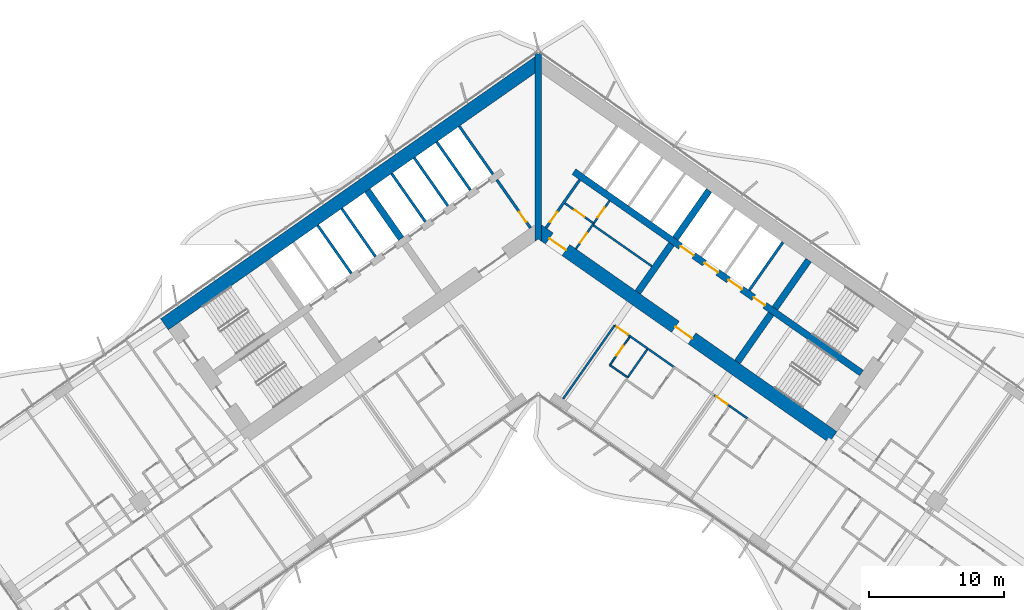
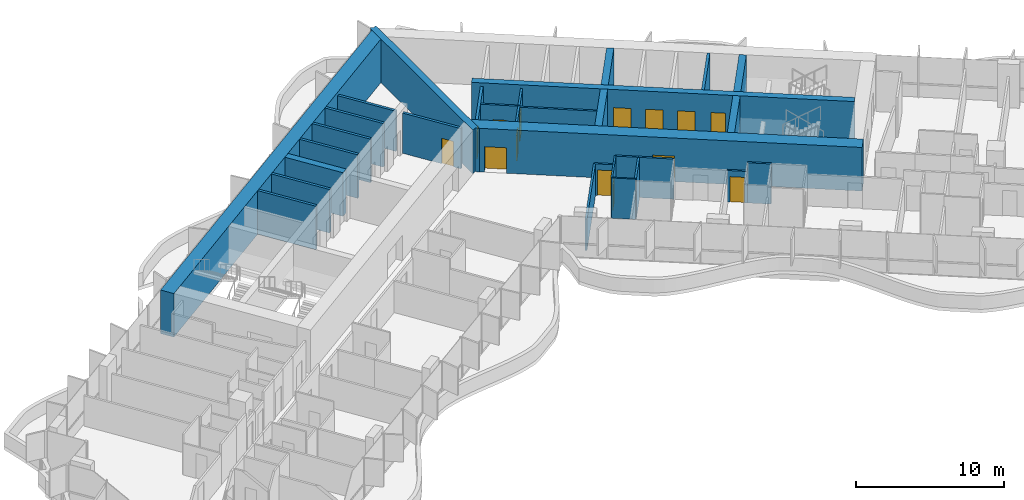
# One storey, part 15 of 24: 30 walls, 14 doors, 14 openings.
"""IFC4 building model written with IfcOpenShell, lengths in metres."""

import ifcopenshell
import ifcopenshell.guid

model = None  # the IFC model being written
_history = None  # IfcOwnerHistory: only IFC2X3 demands one
_inside = {}  # id of a spatial element -> (the spatial element, [elements in it])
_under = {}  # id of a project, library or spatial element -> (it, [spatial elements below it])
_declared = {}  # id of a project -> (the project, [libraries it declares])
_typed = {}  # id of a type object -> (the type object, [elements of that type])
_made_of = {}  # id of a material, layer set ... -> (it, [elements and type objects made of it])


def new_model(schema):
    """Start an empty IFC model of exactly this schema.

    Asked for "IFC4X3", IfcOpenShell would pick the latest addendum, in which some entities
    have other attributes; the version numbers below select the first issue.
    IFC2X3 requires an IfcOwnerHistory on every rooted entity: one is made here for all.
    """
    global model, _history
    if schema == "IFC4X3":
        model = ifcopenshell.file(schema_version=(4, 3, 0, 0))
    else:
        model = ifcopenshell.file(schema=schema)
    _inside.clear()
    _under.clear()
    _declared.clear()
    _typed.clear()
    _made_of.clear()
    _history = None
    if model.schema == "IFC2X3":
        org = make("IfcOrganization", Name="unknown")
        user = make(
            "IfcPersonAndOrganization",
            ThePerson=make("IfcPerson", FamilyName="unknown"),
            TheOrganization=org,
        )
        app = make(
            "IfcApplication",
            ApplicationDeveloper=org,
            Version="unknown",
            ApplicationFullName="unknown",
            ApplicationIdentifier="unknown",
        )
        _history = make(
            "IfcOwnerHistory",
            OwningUser=user,
            OwningApplication=app,
            ChangeAction="ADDED",
            CreationDate=0,
        )
    return model


def make(cls, **values):
    """One entity of the class cls with the attributes given. An attribute that is None is left unset."""
    return model.create_entity(
        cls, **{name: value for name, value in values.items() if value is not None}
    )


def rooted(cls, **values):
    """An entity with a GlobalId (a new one), such as an element, a storey or a relation."""
    return make(cls, GlobalId=ifcopenshell.guid.new(), OwnerHistory=_history, **values)


def si_unit(unit_type, name, prefix=None):
    """IfcSIUnit, for example si_unit("LENGTHUNIT", "METRE", prefix="MILLI")."""
    return make("IfcSIUnit", UnitType=unit_type, Prefix=prefix, Name=name)


def assignment(units):
    """IfcUnitAssignment: the units of a project."""
    return None if units is None else make("IfcUnitAssignment", Units=units)


def point(xyz):
    """IfcCartesianPoint."""
    return None if xyz is None else make("IfcCartesianPoint", Coordinates=xyz)


def direction(xyz):
    """IfcDirection."""
    return None if xyz is None else make("IfcDirection", DirectionRatios=xyz)


def frame(location, z_axis=None, x_axis=None):
    """IfcAxis2Placement3D, a coordinate frame: its origin and axes. An axis left out is left unset."""
    return make(
        "IfcAxis2Placement3D",
        Location=point(location),
        Axis=direction(z_axis),
        RefDirection=direction(x_axis),
    )


def frame_2d(location, x_axis=None):
    """IfcAxis2Placement2D, a coordinate frame in the plane: its origin and x axis."""
    return make(
        "IfcAxis2Placement2D", Location=point(location), RefDirection=direction(x_axis)
    )


def origin():
    """The frame at (0, 0, 0) with its axes left unset."""
    return frame((0.0, 0.0, 0.0))


def place(relative_to, where):
    """IfcLocalPlacement: puts the frame where relative to a parent placement (None: the world)."""
    return make(
        "IfcLocalPlacement", PlacementRelTo=relative_to, RelativePlacement=where
    )


def context(
    kind, dimensions, precision=None, world=None, true_north=None, identifier=None
):
    """IfcGeometricRepresentationContext, for example the 3D "Model" context."""
    return make(
        "IfcGeometricRepresentationContext",
        ContextIdentifier=identifier,
        ContextType=kind,
        CoordinateSpaceDimension=dimensions,
        Precision=precision,
        WorldCoordinateSystem=world,
        TrueNorth=true_north,
    )


def subcontext(parent, identifier, kind, view, scale=None):
    """IfcGeometricRepresentationSubContext, for example "Body" below "Model"."""
    return make(
        "IfcGeometricRepresentationSubContext",
        ContextIdentifier=identifier,
        ContextType=kind,
        ParentContext=parent,
        TargetScale=scale,
        TargetView=view,
    )


def project(units=None, contexts=None):
    """IfcProject with its units and contexts."""
    return rooted(
        "IfcProject",
        Name="project",
        RepresentationContexts=contexts,
        UnitsInContext=assignment(units),
    )


def spatial(cls, under=None, at=None, **own):
    """A site, building, storey or space (cls), placed at a placement, below another one or the project."""
    s = rooted(cls, ObjectPlacement=at, **own)
    if under is not None:
        _under.setdefault(under.id(), (under, []))[1].append(s)
    return s


def polyline(points):
    """IfcPolyline through the points."""
    return make("IfcPolyline", Points=[point(p) for p in points])


def profile(cls, at=None, kind="AREA", **sizes):
    """A parametric profile (cls). Its sizes go by their IFC names, for example OverallWidth=200.0."""
    return make(cls, ProfileType=kind, Position=at, **sizes)


def rectangle(**sizes):
    """IfcRectangleProfileDef."""
    return profile("IfcRectangleProfileDef", **sizes)


def outline(outer, holes=None, kind="AREA"):
    """IfcArbitraryClosedProfileDef: a profile drawn as a closed curve; with holes, ...WithVoids."""
    if holes is None:
        return make("IfcArbitraryClosedProfileDef", ProfileType=kind, OuterCurve=outer)
    return make(
        "IfcArbitraryProfileDefWithVoids",
        ProfileType=kind,
        OuterCurve=outer,
        InnerCurves=holes,
    )


def extrude(swept, where, along, depth):
    """IfcExtrudedAreaSolid: the profile swept, set in the frame where, extruded along a direction by depth."""
    return make(
        "IfcExtrudedAreaSolid",
        SweptArea=swept,
        Position=where,
        ExtrudedDirection=direction(along),
        Depth=depth,
    )


def shape(context_of_items, identifier, shape_type, items):
    """IfcShapeRepresentation: the items that make up one representation, for example the "Body"."""
    return make(
        "IfcShapeRepresentation",
        ContextOfItems=context_of_items,
        RepresentationIdentifier=identifier,
        RepresentationType=shape_type,
        Items=items,
    )


def material(Name=None, Category=None):
    """IfcMaterial."""
    return make("IfcMaterial", Name=Name, Category=Category)


def layer(
    of_material, thickness, ventilated=None, Name=None, Category=None, Priority=None
):
    """IfcMaterialLayer: one layer of a wall or slab, of a material (None: an air gap)."""
    return make(
        "IfcMaterialLayer",
        Material=of_material,
        LayerThickness=thickness,
        IsVentilated=ventilated,
        Name=Name,
        Category=Category,
        Priority=Priority,
    )


def layer_set(layers, Name=None):
    """IfcMaterialLayerSet."""
    return make("IfcMaterialLayerSet", MaterialLayers=layers, LayerSetName=Name)


def made_of(thing, what):
    """Note that an element or type object is made of a material, layer set ...; save() writes the relation."""
    if what is not None:
        _made_of.setdefault(what.id(), (what, []))[1].append(thing)
    return thing


def type_object(cls, material=None, **own):
    """A type object (cls), such as IfcWallType, which elements share."""
    return made_of(rooted(cls, **own), material)


def element(
    cls,
    number,
    at=None,
    inside=None,
    cuts=None,
    type_object=None,
    material=None,
    context=None,
    identifier="Body",
    shape_type=None,
    held_by="IfcProductDefinitionShape",
    body=None,
    shapes=None,
    **own,
):
    """One element of the class cls, such as IfcWall. Its Tag is "e" and its number.

    at: its placement. inside: the storey or other place that contains it. cuts: it is an
    opening in that element (IfcRelVoidsElement). A single representation is given by context,
    identifier, shape_type and body (its items); several are given by shapes. held_by: the class
    of the entity that holds the representations. save() writes the other relations.
    """
    e = rooted(cls, Tag="e%d" % number, ObjectPlacement=at, **own)
    if body is not None:
        shapes = [shape(context, identifier, shape_type, body)]
    if shapes is not None:
        e.Representation = make(held_by, Representations=shapes)
    if inside is not None:
        _inside.setdefault(inside.id(), (inside, []))[1].append(e)
    if cuts is not None:
        rooted(
            "IfcRelVoidsElement", RelatingBuildingElement=cuts, RelatedOpeningElement=e
        )
    if type_object is not None:
        _typed.setdefault(type_object.id(), (type_object, []))[1].append(e)
    return made_of(e, material)


def fill(opening, filler):
    """IfcRelFillsElement: the door or window that sits in an opening."""
    return rooted(
        "IfcRelFillsElement",
        RelatingOpeningElement=opening,
        RelatedBuildingElement=filler,
    )


def aggregate(whole, parts):
    """IfcRelAggregates: a whole, such as a stair, and the parts it consists of."""
    return rooted("IfcRelAggregates", RelatingObject=whole, RelatedObjects=parts)


def save(model, path):
    """Write the relations noted so far, then the file.

    IfcRelAggregates (storeys below a building ...), IfcRelContainedInSpatialStructure (elements
    in a storey), IfcRelDefinesByType, IfcRelAssociatesMaterial and IfcRelDeclares: one each for
    every whole, place, type object, material and project.
    """
    for whole, parts in _under.values():
        aggregate(whole, parts)
    for where, things in _inside.values():
        rooted(
            "IfcRelContainedInSpatialStructure",
            RelatedElements=things,
            RelatingStructure=where,
        )
    for kind, things in _typed.values():
        rooted("IfcRelDefinesByType", RelatedObjects=things, RelatingType=kind)
    for what, things in _made_of.values():
        rooted("IfcRelAssociatesMaterial", RelatedObjects=things, RelatingMaterial=what)
    for by, libraries in _declared.values():
        rooted("IfcRelDeclares", RelatingContext=by, RelatedDefinitions=libraries)
    model.write(path)


model = new_model("IFC4")

# Units and contexts
model_context = context("Model", 3, precision=1e-05, world=origin(), true_north=direction((0.0, 1.0)))
body_context = subcontext(model_context, "Body", "Model", "MODEL_VIEW")
ifc_project = project(units=[si_unit("LENGTHUNIT", "METRE"), si_unit("AREAUNIT", "SQUARE_METRE"), si_unit("VOLUMEUNIT", "CUBIC_METRE"), si_unit("PLANEANGLEUNIT", "RADIAN"), si_unit("MASSUNIT", "GRAM", prefix="KILO")], contexts=[model_context])

# Site, building, storey
site_placement = place(None, origin())
site = spatial("IfcSite", under=ifc_project, at=site_placement, CompositionType="ELEMENT")
building_placement = place(site_placement, origin())
building = spatial("IfcBuilding", under=site, at=building_placement, Name="Tel Ilan Convention Tower", CompositionType="ELEMENT")
storey_placement = place(building_placement, frame((0.0, 0.0, 90.5)))
storey = spatial("IfcBuildingStorey", under=building, at=storey_placement, Name="L18", CompositionType="ELEMENT", Elevation=90.5)

# Wall, openings, doors
ifc_material_1 = material(Name="Gypsum Plasterboard on Steel Stud", Category="steel")
ifc_layer_1 = layer(ifc_material_1, 0.14990234375)
ifc_layer_set_1 = layer_set([ifc_layer_1], Name="Core Room Partition Wall 150 mm EI 60")
wall_type_1 = type_object("IfcWallType", Name="Core Room Partition Wall 150 mm EI 60", PredefinedType="PARTITIONING", material=ifc_layer_set_1)
wall_1_placement = place(storey_placement, frame((2.78515625, -1.9501953125, 0.0), z_axis=(0.0, 0.0, 1.0), x_axis=(0.57356780395, 0.819158088694, 0.0)))
wall_1 = element("IfcWall", 1, at=wall_1_placement, inside=storey, type_object=wall_type_1, Name="L18 core wall wc-v1", PredefinedType="PARTITIONING", context=body_context, shape_type="SweptSolid", body=[
    extrude(rectangle(XDim=4.35009765625, YDim=0.14990234375, at=frame_2d((2.175048828125, 0.0))), origin(), (0.0, 0.0, 1.0), 3.320068359375),
])
opening_1_placement = place(wall_1_placement, frame((0.550048828125, 0.0, 0.0)))
opening_1 = element("IfcOpeningElement", 2, at=opening_1_placement, cuts=wall_1, Name="Opening CD1609", PredefinedType="OPENING", context=body_context, shape_type="SweptSolid", body=[
    extrude(rectangle(XDim=0.89990234375, YDim=2.10009765625, at=frame_2d((0.449951171875, 1.050048828125))), frame((0.0, 0.0849609375, 0.0), z_axis=(0.0, -1.0, 0.0), x_axis=(1.0, 0.0, 0.0)), (0.0, 0.0, 1.0), 0.169921875),
])
opening_2_placement = place(wall_1_placement, frame((2.824951171875, 0.0, 0.0)))
opening_2 = element("IfcOpeningElement", 3, at=opening_2_placement, cuts=wall_1, Name="Opening CD1610", PredefinedType="OPENING", context=body_context, shape_type="SweptSolid", body=[
    extrude(rectangle(XDim=0.89990234375, YDim=2.10009765625, at=frame_2d((0.449951171875, 1.050048828125))), frame((0.0, 0.0849609375, 0.0), z_axis=(0.0, -1.0, 0.0), x_axis=(1.0, 0.0, 0.0)), (0.0, 0.0, 1.0), 0.169921875),
])
ifc_material_2 = material(Name="Laminated Timber Door Leaf", Category="wood")
door_type_1 = type_object("IfcDoorType", Name="Toilet Door 900 x 2100 FD30S", OperationType="NOTDEFINED", PredefinedType="DOOR", material=ifc_material_2)
door_1_placement = place(opening_1_placement, origin())
door_1 = element("IfcDoor", 4, at=door_1_placement, inside=storey, type_object=door_type_1, Name="Women's WC door", OperationType="SINGLE_SWING_RIGHT", OverallHeight=2.10009765625, OverallWidth=0.89990234375, PredefinedType="DOOR", context=body_context, shape_type="SweptSolid", body=[
    extrude(rectangle(XDim=0.89990234375, YDim=2.10009765625, at=frame_2d((0.449951171875, 1.050048828125))), frame((0.0, 0.02490234375, 0.0), z_axis=(0.0, -1.0, 0.0), x_axis=(1.0, 0.0, 0.0)), (0.0, 0.0, 1.0), 0.050048828125),
])
fill(opening_1, door_1)
door_2_placement = place(opening_2_placement, origin())
door_2 = element("IfcDoor", 5, at=door_2_placement, inside=storey, type_object=door_type_1, Name="Men's WC door", OperationType="SINGLE_SWING_RIGHT", OverallHeight=2.10009765625, OverallWidth=0.89990234375, PredefinedType="DOOR", context=body_context, shape_type="SweptSolid", body=[
    extrude(rectangle(XDim=0.89990234375, YDim=2.10009765625, at=frame_2d((0.449951171875, 1.050048828125))), frame((0.0, 0.02490234375, 0.0), z_axis=(0.0, -1.0, 0.0), x_axis=(1.0, 0.0, 0.0)), (0.0, 0.0, 1.0), 0.050048828125),
])
fill(opening_2, door_2)

# Wall, opening, door
wall_2_placement = place(storey_placement, frame((1.974609375, 1.42529296875, 0.0), z_axis=(0.0, 0.0, 1.0), x_axis=(0.819103967032, -0.573645091666, 0.0)))
wall_2 = element("IfcWall", 6, at=wall_2_placement, inside=storey, type_object=wall_type_1, Name="L18 core wall wc-h1", PredefinedType="PARTITIONING", context=body_context, shape_type="SweptSolid", body=[
    extrude(rectangle(XDim=2.599853515625, YDim=0.14990234375, at=frame_2d((1.2998046875, 0.0))), origin(), (0.0, 0.0, 1.0), 3.320068359375),
])
opening_3_placement = place(wall_2_placement, frame((0.85009765625, 0.0, 0.0)))
opening_3 = element("IfcOpeningElement", 7, at=opening_3_placement, cuts=wall_2, Name="Opening CD1608", PredefinedType="OPENING", context=body_context, shape_type="SweptSolid", body=[
    extrude(rectangle(XDim=0.89990234375, YDim=2.10009765625, at=frame_2d((0.449951171875, 1.050048828125))), frame((0.0, 0.0849609375, 0.0), z_axis=(0.0, -1.0, 0.0), x_axis=(1.0, 0.0, 0.0)), (0.0, 0.0, 1.0), 0.169921875),
])
door_3_placement = place(opening_3_placement, origin())
door_3 = element("IfcDoor", 8, at=door_3_placement, inside=storey, type_object=door_type_1, Name="Accessible WC door", OperationType="SINGLE_SWING_RIGHT", OverallHeight=2.10009765625, OverallWidth=0.89990234375, PredefinedType="DOOR", context=body_context, shape_type="SweptSolid", body=[
    extrude(rectangle(XDim=0.89990234375, YDim=2.10009765625, at=frame_2d((0.449951171875, 1.050048828125))), frame((0.0, 0.02490234375, 0.0), z_axis=(0.0, -1.0, 0.0), x_axis=(1.0, 0.0, 0.0)), (0.0, 0.0, 1.0), 0.050048828125),
])
fill(opening_3, door_3)

# Wall
wall_3_placement = place(storey_placement, frame((4.03271484375, -0.16845703125, 0.0), z_axis=(0.0, 0.0, 1.0), x_axis=(0.819146154531, -0.573584847705, 0.0)))
element("IfcWall", 9, at=wall_3_placement, inside=storey, type_object=wall_type_1, Name="L18 core wall wc-h2", PredefinedType="PARTITIONING", context=body_context, shape_type="SweptSolid", body=[
    extrude(rectangle(XDim=5.349853515625, YDim=0.14990234375, at=frame_2d((2.6748046875, 0.0))), origin(), (0.0, 0.0, 1.0), 3.320068359375),
])

# Wall, opening, door
ifc_material_3 = material(Name="Concrete C30/37", Category="concrete")
ifc_layer_2 = layer(ifc_material_3, 0.199951171875)
ifc_layer_set_2 = layer_set([ifc_layer_2], Name="Core Service Room Wall 200 mm C30/37")
wall_type_2 = type_object("IfcWallType", Name="Core Service Room Wall 200 mm C30/37", PredefinedType="SOLIDWALL", material=ifc_layer_set_2)
wall_4_placement = place(storey_placement, frame((-0.573486328125, -0.401611328125, 0.0), z_axis=(0.0, 0.0, 1.0), x_axis=(-0.57356780395, 0.819158088694, 0.0)))
wall_4 = element("IfcWall", 10, at=wall_4_placement, inside=storey, type_object=wall_type_2, Name="L18 core wall apex-W", PredefinedType="SOLIDWALL", context=body_context, shape_type="SweptSolid", body=[
    extrude(rectangle(XDim=4.35009765625, YDim=0.199951171875, at=frame_2d((2.175048828125, 0.0))), origin(), (0.0, 0.0, 1.0), 3.320068359375),
])
opening_4_placement = place(wall_4_placement, frame((0.550048828125, 0.0, 0.0)))
opening_4 = element("IfcOpeningElement", 11, at=opening_4_placement, cuts=wall_4, Name="Opening CD1602", PredefinedType="OPENING", context=body_context, shape_type="SweptSolid", body=[
    extrude(rectangle(XDim=0.89990234375, YDim=2.10009765625, at=frame_2d((0.449951171875, 1.050048828125))), frame((0.0, 0.10986328125, 0.0), z_axis=(0.0, -1.0, 0.0), x_axis=(1.0, 0.0, 0.0)), (0.0, 0.0, 1.0), 0.219970703125),
])
ifc_material_4 = material(Name="Galvanised Steel Door Leaf", Category="steel")
door_type_2 = type_object("IfcDoorType", Name="Service Room Door 900 x 2100 FD60", OperationType="NOTDEFINED", PredefinedType="DOOR", material=ifc_material_4)
door_4_placement = place(opening_4_placement, origin())
door_4 = element("IfcDoor", 12, at=door_4_placement, inside=storey, type_object=door_type_2, Name="Electrical Room door", OperationType="SINGLE_SWING_RIGHT", OverallHeight=2.10009765625, OverallWidth=0.89990234375, PredefinedType="DOOR", context=body_context, shape_type="SweptSolid", body=[
    extrude(rectangle(XDim=0.89990234375, YDim=2.10009765625, at=frame_2d((0.449951171875, 1.050048828125))), frame((0.0, 0.02490234375, 0.0), z_axis=(0.0, -1.0, 0.0), x_axis=(1.0, 0.0, 0.0)), (0.0, 0.0, 1.0), 0.050048828125),
])
fill(opening_4, door_4)

# Wall
wall_5_placement = place(storey_placement, frame((-3.355224609375, 3.5712890625, 0.0), z_axis=(0.0, 0.0, 1.0), x_axis=(-0.57356780395, 0.819158088694, 0.0)))
element("IfcWall", 13, at=wall_5_placement, inside=storey, type_object=wall_type_2, Name="L18 core wall apex-W-b", PredefinedType="SOLIDWALL", context=body_context, shape_type="SweptSolid", body=[
    extrude(rectangle(XDim=4.35009765625, YDim=0.199951171875, at=frame_2d((2.175048828125, 0.0))), origin(), (0.0, 0.0, 1.0), 3.320068359375),
])

# Wall, opening, door
wall_6_placement = place(storey_placement, frame((0.573486328125, -0.401611328125, 0.0), z_axis=(0.0, 0.0, 1.0), x_axis=(0.57356780395, 0.819158088694, 0.0)))
wall_6 = element("IfcWall", 14, at=wall_6_placement, inside=storey, type_object=wall_type_2, Name="L18 core wall apex-E", PredefinedType="SOLIDWALL", context=body_context, shape_type="SweptSolid", body=[
    extrude(rectangle(XDim=4.35009765625, YDim=0.199951171875, at=frame_2d((2.175048828125, 0.0))), origin(), (0.0, 0.0, 1.0), 3.320068359375),
])
opening_5_placement = place(wall_6_placement, frame((0.550048828125, 0.0, 0.0)))
opening_5 = element("IfcOpeningElement", 15, at=opening_5_placement, cuts=wall_6, Name="Opening CD1601", PredefinedType="OPENING", context=body_context, shape_type="SweptSolid", body=[
    extrude(rectangle(XDim=0.89990234375, YDim=2.10009765625, at=frame_2d((0.449951171875, 1.050048828125))), frame((0.0, 0.10986328125, 0.0), z_axis=(0.0, -1.0, 0.0), x_axis=(1.0, 0.0, 0.0)), (0.0, 0.0, 1.0), 0.219970703125),
])
door_5_placement = place(opening_5_placement, origin())
door_5 = element("IfcDoor", 16, at=door_5_placement, inside=storey, type_object=door_type_2, Name="Store Room door", OperationType="SINGLE_SWING_RIGHT", OverallHeight=2.10009765625, OverallWidth=0.89990234375, PredefinedType="DOOR", context=body_context, shape_type="SweptSolid", body=[
    extrude(rectangle(XDim=0.89990234375, YDim=2.10009765625, at=frame_2d((0.449951171875, 1.050048828125))), frame((0.0, 0.02490234375, 0.0), z_axis=(0.0, -1.0, 0.0), x_axis=(1.0, 0.0, 0.0)), (0.0, 0.0, 1.0), 0.050048828125),
])
fill(opening_5, door_5)

# Wall
ifc_material_5 = material(Name="Concrete C60/75", Category="concrete")
ifc_layer_3 = layer(ifc_material_5, 1.0)
ifc_layer_set_3 = layer_set([ifc_layer_3], Name="Core Shear Wall 1000 mm C60/75")
wall_type_3 = type_object("IfcWallType", Name="Core Shear Wall 1000 mm C60/75", PredefinedType="SHEAR", material=ifc_layer_set_3)
wall_7_placement = place(storey_placement, frame((0.036865234375, 11.8671875, 0.0), z_axis=(0.0, 0.0, 1.0), x_axis=(-0.819155306259, -0.573571777746, 0.0)))
element("IfcWall", 17, at=wall_7_placement, inside=storey, type_object=wall_type_3, Name="L18 core wall W-back", PredefinedType="SHEAR", context=body_context, shape_type="SweptSolid", body=[
    extrude(outline(polyline([(33.8369140625, 0.5), (0.7001953125, 0.499755859375), (0.0, -0.5), (33.8369140625, -0.5), (33.8369140625, 0.5)])), origin(), (0.0, 0.0, 1.0), 3.60009765625),
])

# Wall, openings, doors
wall_8_placement = place(storey_placement, frame((-0.036865234375, -0.584716796875, 0.0), z_axis=(0.0, 0.0, 1.0), x_axis=(0.819157152511, -0.573569140985, 0.0)))
wall_8 = element("IfcWall", 18, at=wall_8_placement, inside=storey, type_object=wall_type_3, Name="L18 core wall E-front", PredefinedType="SHEAR", context=body_context, shape_type="SweptSolid", body=[
    extrude(outline(polyline([(26.69482421875, 0.499755859375), (0.0, 0.5), (0.7001953125, -0.499755859375), (26.69482421875, -0.500244140625), (26.69482421875, 0.499755859375)])), origin(), (0.0, 0.0, 1.0), 3.60009765625),
])
opening_6_placement = place(wall_8_placement, frame((1.044921875, 0.0, 0.0)))
opening_6 = element("IfcOpeningElement", 19, at=opening_6_placement, cuts=wall_8, Name="Opening CD1603", PredefinedType="OPENING", context=body_context, shape_type="SweptSolid", body=[
    extrude(rectangle(XDim=1.5, YDim=2.10009765625, at=frame_2d((0.75, 1.050048828125))), frame((0.0, 0.510009765625, 0.0), z_axis=(0.0, -1.0, 0.0), x_axis=(1.0, 0.0, 0.0)), (0.0, 0.0, 1.0), 1.02001953125),
])
opening_7_placement = place(wall_8_placement, frame((12.44482421875, 0.0, 0.0)))
opening_7 = element("IfcOpeningElement", 20, at=opening_7_placement, cuts=wall_8, Name="Opening CD1604", PredefinedType="OPENING", context=body_context, shape_type="SweptSolid", body=[
    extrude(rectangle(XDim=1.5, YDim=2.10009765625, at=frame_2d((0.75, 1.050048828125))), frame((0.0, 0.510009765625, 0.0), z_axis=(0.0, -1.0, 0.0), x_axis=(1.0, 0.0, 0.0)), (0.0, 0.0, 1.0), 1.02001953125),
])
ifc_material_6 = material(Name="Glazed Aluminium Door Leaf", Category="aluminium")
door_type_3 = type_object("IfcDoorType", Name="Lobby Opening Door 1500 x 2100 FD60S", OperationType="NOTDEFINED", PredefinedType="DOOR", material=ifc_material_6)
door_6_placement = place(opening_7_placement, origin())
door_6 = element("IfcDoor", 21, at=door_6_placement, inside=storey, type_object=door_type_3, Name="Firefighting Lobby door", OperationType="DOUBLE_DOOR_SINGLE_SWING", OverallHeight=2.10009765625, OverallWidth=1.5, PredefinedType="DOOR", context=body_context, shape_type="SweptSolid", body=[
    extrude(rectangle(XDim=1.5, YDim=2.10009765625, at=frame_2d((0.75, 1.050048828125))), frame((0.0, 0.02490234375, 0.0), z_axis=(0.0, -1.0, 0.0), x_axis=(1.0, 0.0, 0.0)), (0.0, 0.0, 1.0), 0.050048828125),
])
fill(opening_7, door_6)
ifc_material_7 = material(Name="Laminated Timber Door Leaf", Category="wood")
door_type_4 = type_object("IfcDoorType", Name="Toilet Door 1500 x 2100 FD30S", OperationType="NOTDEFINED", PredefinedType="DOOR", material=ifc_material_7)
door_7_placement = place(opening_6_placement, origin())
door_7 = element("IfcDoor", 22, at=door_7_placement, inside=storey, type_object=door_type_4, Name="WC Lobby door", OperationType="SINGLE_SWING_RIGHT", OverallHeight=2.10009765625, OverallWidth=1.5, PredefinedType="DOOR", context=body_context, shape_type="SweptSolid", body=[
    extrude(rectangle(XDim=1.5, YDim=2.10009765625, at=frame_2d((0.75, 1.050048828125))), frame((0.0, 0.02490234375, 0.0), z_axis=(0.0, -1.0, 0.0), x_axis=(1.0, 0.0, 0.0)), (0.0, 0.0, 1.0), 0.050048828125),
])
fill(opening_6, door_7)

# Walls
ifc_material_8 = material(Name="Concrete C60/75", Category="concrete")
ifc_layer_4 = layer(ifc_material_8, 0.5)
ifc_layer_set_4 = layer_set([ifc_layer_4], Name="Core Shear Wall 500 mm C60/75")
wall_type_4 = type_object("IfcWallType", Name="Core Shear Wall 500 mm C60/75", PredefinedType="SHEAR", material=ifc_layer_set_4)
wall_9_placement = place(storey_placement, frame((-10.154296875, -1.189208984375, 0.0), z_axis=(0.0, 0.0, 1.0), x_axis=(-0.573594173421, 0.819139624372, 0.0)))
element("IfcWall", 23, at=wall_9_placement, inside=storey, type_object=wall_type_4, Name="L18 core wall W-cross1-2", PredefinedType="SHEAR", context=body_context, shape_type="SweptSolid", body=[
    extrude(outline(polyline([(4.349853515625, -0.25), (4.349853515625, 0.25), (-0.000244140625, 0.25), (-0.000244140625, -0.25), (4.349853515625, -0.25)])), origin(), (0.0, 0.0, 1.0), 3.60009765625),
])
wall_10_placement = place(storey_placement, frame((7.372314453125, -5.162109375, 0.0), z_axis=(0.0, 0.0, 1.0), x_axis=(0.573594173421, 0.819139624372, 0.0)))
element("IfcWall", 24, at=wall_10_placement, inside=storey, type_object=wall_type_4, Name="L18 core wall E-cross1-1", PredefinedType="SHEAR", context=body_context, shape_type="SweptSolid", body=[
    extrude(outline(polyline([(0.0, 0.25), (0.0, -0.250244140625), (4.349853515625, -0.25), (4.349853515625, 0.25), (0.0, 0.25)])), origin(), (0.0, 0.0, 1.0), 3.60009765625),
])
wall_11_placement = place(storey_placement, frame((10.154296875, -1.189208984375, 0.0), z_axis=(0.0, 0.0, 1.0), x_axis=(0.573594173421, 0.819139624372, 0.0)))
element("IfcWall", 25, at=wall_11_placement, inside=storey, type_object=wall_type_4, Name="L18 core wall E-cross1-2", PredefinedType="SHEAR", context=body_context, shape_type="SweptSolid", body=[
    extrude(outline(polyline([(4.349853515625, -0.25), (4.349853515625, 0.25), (-0.000244140625, 0.25), (-0.000244140625, -0.25), (4.349853515625, -0.25)])), origin(), (0.0, 0.0, 1.0), 3.60009765625),
])
wall_12_placement = place(storey_placement, frame((14.74462890625, -10.324462890625, 0.0), z_axis=(0.0, 0.0, 1.0), x_axis=(0.57356780395, 0.819158088694, 0.0)))
element("IfcWall", 26, at=wall_12_placement, inside=storey, type_object=wall_type_4, Name="L18 core wall E-cross2-1", PredefinedType="SHEAR", context=body_context, shape_type="SweptSolid", body=[
    extrude(outline(polyline([(0.0, 0.25), (0.0, -0.25), (4.35009765625, -0.250244140625), (4.35009765625, 0.25), (0.0, 0.25)])), origin(), (0.0, 0.0, 1.0), 3.60009765625),
])
wall_13_placement = place(storey_placement, frame((17.526611328125, -6.3515625, 0.0), z_axis=(0.0, 0.0, 1.0), x_axis=(0.573530143085, 0.819184457233, 0.0)))
element("IfcWall", 27, at=wall_13_placement, inside=storey, type_object=wall_type_4, Name="L18 core wall E-cross2-2", PredefinedType="SHEAR", context=body_context, shape_type="SweptSolid", body=[
    extrude(outline(polyline([(4.35009765625, -0.250244140625), (4.35009765625, 0.249755859375), (0.0, 0.25), (0.0, -0.25), (4.35009765625, -0.250244140625)])), origin(), (0.0, 0.0, 1.0), 3.60009765625),
])

# Wall, openings, doors
wall_14_placement = place(storey_placement, frame((2.638427734375, 3.76806640625, 0.0), z_axis=(0.0, 0.0, 1.0), x_axis=(0.819148977158, -0.573580816643, 0.0)))
wall_14 = element("IfcWall", 28, at=wall_14_placement, inside=storey, type_object=wall_type_4, Name="L18 core wall E-spine", PredefinedType="SHEAR", context=body_context, shape_type="SweptSolid", body=[
    extrude(outline(polyline([(0.0, 0.25), (0.0, -0.25), (26.0, -0.249755859375), (26.0, 0.250244140625), (0.0, 0.25)])), origin(), (0.0, 0.0, 1.0), 3.60009765625),
])
opening_8_placement = place(wall_14_placement, frame((9.637451171875, 0.0, 0.0)))
opening_8 = element("IfcOpeningElement", 29, at=opening_8_placement, cuts=wall_14, Name="Opening LD1601", PredefinedType="OPENING", context=body_context, shape_type="SweptSolid", body=[
    extrude(rectangle(XDim=1.199951171875, YDim=2.10009765625, at=frame_2d((0.60009765625, 1.050048828125))), frame((0.0, 0.260009765625, 0.0), z_axis=(0.0, -1.0, 0.0), x_axis=(1.0, 0.0, 0.0)), (0.0, 0.0, 1.0), 0.52001953125),
])
opening_9_placement = place(wall_14_placement, frame((11.8125, 0.0, 0.0)))
opening_9 = element("IfcOpeningElement", 30, at=opening_9_placement, cuts=wall_14, Name="Opening LD1602", PredefinedType="OPENING", context=body_context, shape_type="SweptSolid", body=[
    extrude(rectangle(XDim=1.199951171875, YDim=2.10009765625, at=frame_2d((0.60009765625, 1.050048828125))), frame((0.0, 0.260009765625, 0.0), z_axis=(0.0, -1.0, 0.0), x_axis=(1.0, 0.0, 0.0)), (0.0, 0.0, 1.0), 0.52001953125),
])
opening_10_placement = place(wall_14_placement, frame((13.987548828125, 0.0, 0.0)))
opening_10 = element("IfcOpeningElement", 31, at=opening_10_placement, cuts=wall_14, Name="Opening LD1603", PredefinedType="OPENING", context=body_context, shape_type="SweptSolid", body=[
    extrude(rectangle(XDim=1.199951171875, YDim=2.10009765625, at=frame_2d((0.60009765625, 1.050048828125))), frame((0.0, 0.260009765625, 0.0), z_axis=(0.0, -1.0, 0.0), x_axis=(1.0, 0.0, 0.0)), (0.0, 0.0, 1.0), 0.52001953125),
])
opening_11_placement = place(wall_14_placement, frame((16.262451171875, 0.0, 0.0)))
opening_11 = element("IfcOpeningElement", 32, at=opening_11_placement, cuts=wall_14, Name="Opening CD1607", PredefinedType="OPENING", context=body_context, shape_type="SweptSolid", body=[
    extrude(rectangle(XDim=1.0, YDim=2.10009765625, at=frame_2d((0.5, 1.050048828125))), frame((0.0, 0.260009765625, 0.0), z_axis=(0.0, -1.0, 0.0), x_axis=(1.0, 0.0, 0.0)), (0.0, 0.0, 1.0), 0.52001953125),
])
ifc_material_9 = material(Name="Stainless Steel Sliding Door Leaf", Category="steel")
door_type_5 = type_object("IfcDoorType", Name="Lift Landing Door 1200 x 2100 FD120", OperationType="NOTDEFINED", PredefinedType="DOOR", material=ifc_material_9)
door_8_placement = place(opening_8_placement, origin())
door_8 = element("IfcDoor", 33, at=door_8_placement, inside=storey, type_object=door_type_5, Name="Lift FL1 landing door", OperationType="SLIDING_TO_LEFT", OverallHeight=2.10009765625, OverallWidth=1.199951171875, PredefinedType="DOOR", context=body_context, shape_type="SweptSolid", body=[
    extrude(rectangle(XDim=1.199951171875, YDim=2.10009765625, at=frame_2d((0.60009765625, 1.050048828125))), frame((0.0, 0.02490234375, 0.0), z_axis=(0.0, -1.0, 0.0), x_axis=(1.0, 0.0, 0.0)), (0.0, 0.0, 1.0), 0.050048828125),
])
fill(opening_8, door_8)
door_9_placement = place(opening_9_placement, origin())
door_9 = element("IfcDoor", 34, at=door_9_placement, inside=storey, type_object=door_type_5, Name="Lift FL2 landing door", OperationType="SLIDING_TO_RIGHT", OverallHeight=2.10009765625, OverallWidth=1.199951171875, PredefinedType="DOOR", context=body_context, shape_type="SweptSolid", body=[
    extrude(rectangle(XDim=1.199951171875, YDim=2.10009765625, at=frame_2d((0.60009765625, 1.050048828125))), frame((0.0, 0.02490234375, 0.0), z_axis=(0.0, -1.0, 0.0), x_axis=(1.0, 0.0, 0.0)), (0.0, 0.0, 1.0), 0.050048828125),
])
fill(opening_9, door_9)
door_10_placement = place(opening_10_placement, origin())
door_10 = element("IfcDoor", 35, at=door_10_placement, inside=storey, type_object=door_type_5, Name="Lift FL3 landing door", OperationType="SLIDING_TO_LEFT", OverallHeight=2.10009765625, OverallWidth=1.199951171875, PredefinedType="DOOR", context=body_context, shape_type="SweptSolid", body=[
    extrude(rectangle(XDim=1.199951171875, YDim=2.10009765625, at=frame_2d((0.60009765625, 1.050048828125))), frame((0.0, 0.02490234375, 0.0), z_axis=(0.0, -1.0, 0.0), x_axis=(1.0, 0.0, 0.0)), (0.0, 0.0, 1.0), 0.050048828125),
])
fill(opening_10, door_10)
ifc_material_10 = material(Name="Galvanised Steel Door Leaf", Category="steel")
door_type_6 = type_object("IfcDoorType", Name="Service Room Door 1000 x 2100 FD60", OperationType="NOTDEFINED", PredefinedType="DOOR", material=ifc_material_10)
door_11_placement = place(opening_11_placement, origin())
door_11 = element("IfcDoor", 36, at=door_11_placement, inside=storey, type_object=door_type_6, Name="Plant Room door", OperationType="SINGLE_SWING_RIGHT", OverallHeight=2.10009765625, OverallWidth=1.0, PredefinedType="DOOR", context=body_context, shape_type="SweptSolid", body=[
    extrude(rectangle(XDim=1.0, YDim=2.10009765625, at=frame_2d((0.5, 1.050048828125))), frame((0.0, 0.02490234375, 0.0), z_axis=(0.0, -1.0, 0.0), x_axis=(1.0, 0.0, 0.0)), (0.0, 0.0, 1.0), 0.050048828125),
])
fill(opening_11, door_11)

# Wall
wall_15_placement = place(storey_placement, frame((0.0, -1.395751953125, 0.0), z_axis=(0.0, 0.0, 1.0), x_axis=(0.0, 1.0, 0.0)))
element("IfcWall", 37, at=wall_15_placement, inside=storey, type_object=wall_type_4, Name="L18 core wall K-central", PredefinedType="SHEAR", context=body_context, shape_type="SweptSolid", body=[
    extrude(outline(polyline([(0.0, -0.25), (0.175048828125, -0.25), (1.220703125, -0.25), (12.451904296875, -0.25), (13.84765625, -0.25), (13.85693359375, -0.25), (13.96826171875, -0.172119140625), (13.84765625, 0.0), (13.96826171875, 0.172119140625), (13.85693359375, 0.25), (13.84765625, 0.25), (12.451904296875, 0.25), (1.220703125, 0.25), (0.175048828125, 0.25), (0.0, 0.25), (0.175048828125, 0.0), (0.0, -0.25)])), origin(), (0.0, 0.0, 1.0), 3.60009765625),
])

# Wall, opening, door
ifc_material_11 = material(Name="Plasterboard on Steel Studs", Category="steel")
ifc_layer_5 = layer(ifc_material_11, 0.14990234375)
ifc_layer_set_5 = layer_set([ifc_layer_5], Name="Fire-rated Partition 150 EI 60")
wall_type_5 = type_object("IfcWallType", Name="Fire-rated Partition 150 EI 60", PredefinedType="PARTITIONING", material=ifc_layer_set_5)
wall_16_placement = place(storey_placement, frame((6.79931640625, -8.423095703125, 0.0), z_axis=(0.0, 0.0, 1.0), x_axis=(-0.819207359301, 0.573497430219, 0.0)))
wall_16 = element("IfcWall", 38, at=wall_16_placement, inside=storey, type_object=wall_type_5, Name="Partition 006", PredefinedType="PARTITIONING", context=body_context, shape_type="SweptSolid", body=[
    extrude(rectangle(XDim=1.40087890625, YDim=0.14990234375, at=frame_2d((0.700439453125, 0.0))), origin(), (0.0, 0.0, 1.0), 2.60009765625),
])
opening_12_placement = place(wall_16_placement, frame((0.200927734375, 0.0, 0.0)))
opening_12 = element("IfcOpeningElement", 39, at=opening_12_placement, cuts=wall_16, Name="Opening L18-026", PredefinedType="OPENING", context=body_context, shape_type="SweptSolid", body=[
    extrude(rectangle(XDim=1.0, YDim=2.10009765625, at=frame_2d((0.5, 1.050048828125))), frame((0.0, 0.0849609375, 0.0), z_axis=(0.0, -1.0, 0.0), x_axis=(1.0, 0.0, 0.0)), (0.0, 0.0, 1.0), 0.169921875),
])
ifc_material_12 = material(Name="Timber Door Leaf in Steel Frame", Category="steel")
door_type_7 = type_object("IfcDoorType", Name="Hotel Room Entrance Fire Door 1000x2100", OperationType="NOTDEFINED", PredefinedType="DOOR", material=ifc_material_12)
door_12_placement = place(opening_12_placement, origin())
door_12 = element("IfcDoor", 40, at=door_12_placement, inside=storey, type_object=door_type_7, Name="Door L18-026", OperationType="SINGLE_SWING_LEFT", OverallHeight=2.10009765625, OverallWidth=1.0, PredefinedType="DOOR", context=body_context, shape_type="SweptSolid", body=[
    extrude(rectangle(XDim=1.0, YDim=2.10009765625, at=frame_2d((0.5, 1.050048828125))), frame((0.0, 0.02490234375, 0.0), z_axis=(0.0, -1.0, 0.0), x_axis=(1.0, 0.0, 0.0)), (0.0, 0.0, 1.0), 0.050048828125),
])
fill(opening_12, door_12)

# Walls
wall_17_placement = place(storey_placement, frame((8.110595703125, -9.341552734375, 0.0), z_axis=(0.0, 0.0, 1.0), x_axis=(-0.8190674132, 0.573697283098, 0.0)))
element("IfcWall", 41, at=wall_17_placement, inside=storey, type_object=wall_type_5, Name="Partition 007", PredefinedType="PARTITIONING", context=body_context, shape_type="SweptSolid", body=[
    extrude(rectangle(XDim=1.60400390625, YDim=0.14990234375, at=frame_2d((0.802001953125, 0.0))), origin(), (0.0, 0.0, 1.0), 3.320068359375),
])
wall_18_placement = place(storey_placement, frame((10.07666015625, -10.718017578125, 0.0), z_axis=(0.0, 0.0, 1.0), x_axis=(-0.819146032251, 0.573585022335, 0.0)))
element("IfcWall", 42, at=wall_18_placement, inside=storey, type_object=wall_type_5, Name="Partition 009", PredefinedType="PARTITIONING", context=body_context, shape_type="SweptSolid", body=[
    extrude(rectangle(XDim=2.404052734375, YDim=0.14990234375, at=frame_2d((1.2021484375, 0.0))), origin(), (0.0, 0.0, 1.0), 3.320068359375),
])

# Wall, opening, door
wall_19_placement = place(storey_placement, frame((14.171630859375, -13.58544921875, 0.0), z_axis=(0.0, 0.0, 1.0), x_axis=(-0.81914197737, 0.573590813132, 0.0)))
wall_19 = element("IfcWall", 43, at=wall_19_placement, inside=storey, type_object=wall_type_5, Name="Partition 010", PredefinedType="PARTITIONING", context=body_context, shape_type="SweptSolid", body=[
    extrude(rectangle(XDim=1.40283203125, YDim=0.14990234375, at=frame_2d((0.701416015625, 0.0))), origin(), (0.0, 0.0, 1.0), 2.60009765625),
])
opening_13_placement = place(wall_19_placement, frame((0.200927734375, 0.0, 0.0)))
opening_13 = element("IfcOpeningElement", 44, at=opening_13_placement, cuts=wall_19, Name="Opening L18-030", PredefinedType="OPENING", context=body_context, shape_type="SweptSolid", body=[
    extrude(rectangle(XDim=1.0, YDim=2.10009765625, at=frame_2d((0.5, 1.050048828125))), frame((0.0, 0.0849609375, 0.0), z_axis=(0.0, -1.0, 0.0), x_axis=(1.0, 0.0, 0.0)), (0.0, 0.0, 1.0), 0.169921875),
])
door_13_placement = place(opening_13_placement, origin())
door_13 = element("IfcDoor", 45, at=door_13_placement, inside=storey, type_object=door_type_7, Name="Door L18-030", OperationType="SINGLE_SWING_LEFT", OverallHeight=2.10009765625, OverallWidth=1.0, PredefinedType="DOOR", context=body_context, shape_type="SweptSolid", body=[
    extrude(rectangle(XDim=1.0, YDim=2.10009765625, at=frame_2d((0.5, 1.050048828125))), frame((0.0, 0.02490234375, 0.0), z_axis=(0.0, -1.0, 0.0), x_axis=(1.0, 0.0, 0.0)), (0.0, 0.0, 1.0), 0.050048828125),
])
fill(opening_13, door_13)

# Walls
wall_20_placement = place(storey_placement, frame((15.483154296875, -14.503662109375, 0.0), z_axis=(0.0, 0.0, 1.0), x_axis=(-0.819189013667, 0.573523634986, 0.0)))
element("IfcWall", 46, at=wall_20_placement, inside=storey, type_object=wall_type_5, Name="Partition 011", PredefinedType="PARTITIONING", context=body_context, shape_type="SweptSolid", body=[
    extrude(rectangle(XDim=1.60400390625, YDim=0.14990234375, at=frame_2d((0.802001953125, 0.0))), origin(), (0.0, 0.0, 1.0), 3.320068359375),
])
wall_21_placement = place(storey_placement, frame((1.848876953125, -13.050537109375, 0.0), z_axis=(0.0, 0.0, 1.0), x_axis=(0.57357355307, 0.819154063177, 0.0)))
element("IfcWall", 47, at=wall_21_placement, inside=storey, type_object=wall_type_5, Name="Partition 058", PredefinedType="PARTITIONING", context=body_context, shape_type="SweptSolid", body=[
    extrude(rectangle(XDim=6.6298828125, YDim=0.14990234375, at=frame_2d((3.31494140625, 0.0))), origin(), (0.0, 0.0, 1.0), 2.60009765625),
])
wall_22_placement = place(storey_placement, frame((8.109130859375, -9.34033203125, 0.0), z_axis=(0.0, 0.0, 1.0), x_axis=(-0.573537965655, -0.819178980414, 0.0)))
element("IfcWall", 48, at=wall_22_placement, inside=storey, type_object=wall_type_5, Name="Partition 059", PredefinedType="PARTITIONING", context=body_context, shape_type="SweptSolid", body=[
    extrude(rectangle(XDim=2.60009765625, YDim=0.14990234375, at=frame_2d((1.300048828125, 0.0))), origin(), (0.0, 0.0, 1.0), 3.320068359375),
])
ifc_material_13 = material(Name="Concrete C30/37", Category="concrete")
ifc_layer_6 = layer(ifc_material_13, 0.199951171875)
ifc_layer_set_6 = layer_set([ifc_layer_6], Name="Lift Shaft Wall 200 mm C30/37")
wall_type_6 = type_object("IfcWallType", Name="Lift Shaft Wall 200 mm C30/37", PredefinedType="SOLIDWALL", material=ifc_layer_set_6)
wall_23_placement = place(storey_placement, frame((-5.0244140625, 2.402587890625, 0.0), z_axis=(0.0, 0.0, 1.0), x_axis=(-0.573530143085, 0.819184457233, 0.0)))
element("IfcWall", 49, at=wall_23_placement, inside=storey, type_object=wall_type_6, Name="L18 core wall bank-W1-p0", PredefinedType="SOLIDWALL", context=body_context, shape_type="SweptSolid", body=[
    extrude(rectangle(XDim=4.35009765625, YDim=0.199951171875, at=frame_2d((2.175048828125, 0.0))), origin(), (0.0, 0.0, 1.0), 3.60009765625),
])
for number, where, z_axis, x_axis, name in (
    (50, (-6.693359375, 1.234130859375, 0.0), (0.0, 0.0, 1.0), (-0.573594173421, 0.819139624372, 0.0), "L18 core wall bank-W1-p1"),
    (51, (-8.3623046875, 0.0654296875, 0.0), (0.0, 0.0, 1.0), (-0.573594173421, 0.819139624372, 0.0), "L18 core wall bank-W1-p2"),
    (52, (-12.05859375, -2.52294921875, 0.0), (0.0, 0.0, 1.0), (-0.573594173421, 0.819139624372, 0.0), "L18 core wall bank-W2-p0"),
):
    element("IfcWall", number, at=place(storey_placement, frame(where, z_axis=z_axis, x_axis=x_axis)), inside=storey, type_object=wall_type_6, Name=name, PredefinedType="SOLIDWALL", context=body_context, shape_type="SweptSolid", body=[
        extrude(rectangle(XDim=4.349853515625, YDim=0.199951171875, at=frame_2d((2.1748046875, 0.0))), origin(), (0.0, 0.0, 1.0), 3.60009765625),
    ])
wall_24_placement = place(storey_placement, frame((-13.84033203125, -3.7705078125, 0.0), z_axis=(0.0, 0.0, 1.0), x_axis=(-0.57356780395, 0.819158088694, 0.0)))
element("IfcWall", 53, at=wall_24_placement, inside=storey, type_object=wall_type_6, Name="L18 core wall bank-W2-p1", PredefinedType="SOLIDWALL", context=body_context, shape_type="SweptSolid", body=[
    extrude(rectangle(XDim=4.35009765625, YDim=0.199951171875, at=frame_2d((2.175048828125, 0.0))), origin(), (0.0, 0.0, 1.0), 3.60009765625),
])
wall_25_placement = place(storey_placement, frame((15.6220703125, -5.017822265625, 0.0), z_axis=(0.0, 0.0, 1.0), x_axis=(0.573594173421, 0.819139624372, 0.0)))
element("IfcWall", 54, at=wall_25_placement, inside=storey, type_object=wall_type_6, Name="L18 core wall bank-E2-p2", PredefinedType="SOLIDWALL", context=body_context, shape_type="SweptSolid", body=[
    extrude(rectangle(XDim=4.349853515625, YDim=0.199951171875, at=frame_2d((2.1748046875, 0.0))), origin(), (0.0, 0.0, 1.0), 3.60009765625),
])

# Wall, opening, door
ifc_material_14 = material(Name="Plasterboard on Steel Studs", Category="steel")
ifc_layer_7 = layer(ifc_material_14, 0.1201171875)
ifc_layer_set_7 = layer_set([ifc_layer_7], Name="Moisture-resistant Partition 120")
wall_type_7 = type_object("IfcWallType", Name="Moisture-resistant Partition 120", PredefinedType="PARTITIONING", material=ifc_layer_set_7)
wall_26_placement = place(storey_placement, frame((6.797607421875, -8.422119140625, 0.0), z_axis=(0.0, 0.0, 1.0), x_axis=(-0.573537965655, -0.819178980414, 0.0)))
wall_26 = element("IfcWall", 55, at=wall_26_placement, inside=storey, type_object=wall_type_7, Name="Partition 055", PredefinedType="PARTITIONING", context=body_context, shape_type="SweptSolid", body=[
    extrude(rectangle(XDim=2.60009765625, YDim=0.1201171875, at=frame_2d((1.300048828125, 0.0))), origin(), (0.0, 0.0, 1.0), 3.320068359375),
])
opening_14_placement = place(wall_26_placement, frame((0.875, 0.0, 0.0)))
opening_14 = element("IfcOpeningElement", 56, at=opening_14_placement, cuts=wall_26, Name="Opening L18-025", PredefinedType="OPENING", context=body_context, shape_type="SweptSolid", body=[
    extrude(rectangle(XDim=0.85009765625, YDim=2.050048828125, at=frame_2d((0.425048828125, 1.02490234375))), frame((0.0, 0.070068359375, 0.0), z_axis=(0.0, -1.0, 0.0), x_axis=(1.0, 0.0, 0.0)), (0.0, 0.0, 1.0), 0.14013671875),
])
ifc_material_15 = material(Name="Timber Door Leaf in Steel Frame", Category="steel")
door_type_8 = type_object("IfcDoorType", Name="Bathroom Timber Door 850x2050", OperationType="NOTDEFINED", PredefinedType="DOOR", material=ifc_material_15)
door_14_placement = place(opening_14_placement, origin())
door_14 = element("IfcDoor", 57, at=door_14_placement, inside=storey, type_object=door_type_8, Name="Door L18-025", OperationType="SINGLE_SWING_RIGHT", OverallHeight=2.050048828125, OverallWidth=0.85009765625, PredefinedType="DOOR", context=body_context, shape_type="SweptSolid", body=[
    extrude(rectangle(XDim=0.85009765625, YDim=2.050048828125, at=frame_2d((0.425048828125, 1.02490234375))), frame((0.0, 0.02490234375, 0.0), z_axis=(0.0, -1.0, 0.0), x_axis=(1.0, 0.0, 0.0)), (0.0, 0.0, 1.0), 0.050048828125),
])
fill(opening_14, door_14)

# Wall
wall_27_placement = place(storey_placement, frame((5.306640625, -10.55322265625, 0.0), z_axis=(0.0, 0.0, 1.0), x_axis=(0.819131543282, -0.57360571371, 0.0)))
element("IfcWall", 58, at=wall_27_placement, inside=storey, type_object=wall_type_7, Name="Partition 056", PredefinedType="PARTITIONING", context=body_context, shape_type="SweptSolid", body=[
    extrude(rectangle(XDim=1.599853515625, YDim=0.1201171875, at=frame_2d((0.7998046875, 0.0))), origin(), (0.0, 0.0, 1.0), 3.320068359375),
])

save(model, "model.ifc")
